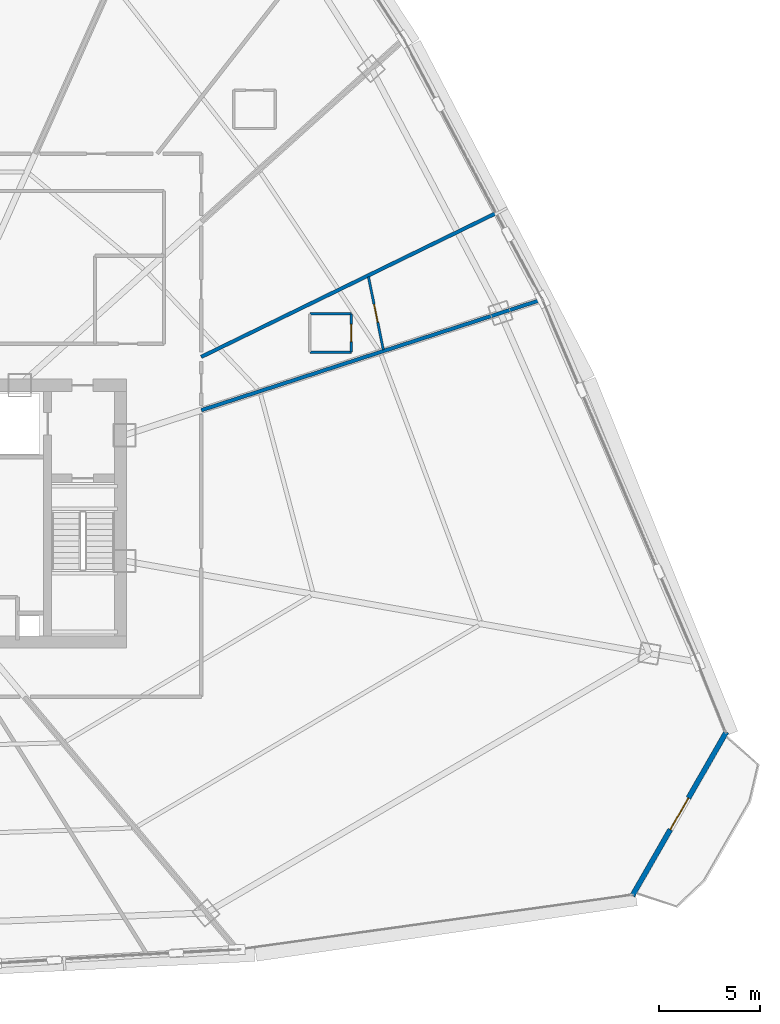
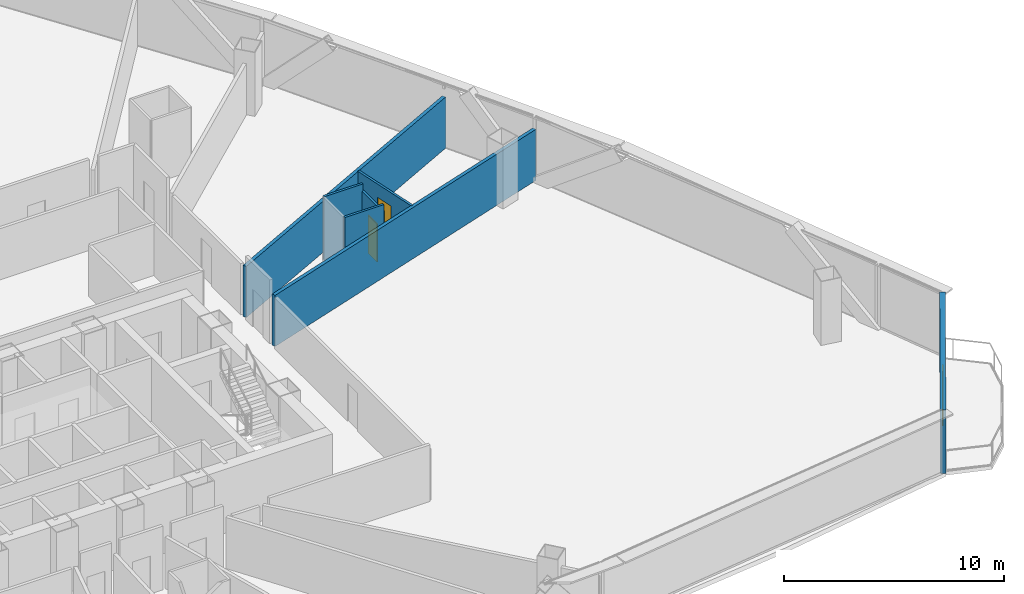
# One storey, part 33 of 38: 7 walls, 3 doors, 3 openings.
"""IFC4 building model written with IfcOpenShell, lengths in metres."""

from ifc_helpers import new_model, si_unit, direction, frame, frame_2d, origin, origin_with_axes, place, context, subcontext, project, spatial, rectangle, extrude, source, transform, mapped, material, layer, layer_set, type_object, element, fill, save


model = new_model("IFC4")

# Units and contexts
model_context = context("Model", 3, precision=1e-05, world=origin(), true_north=direction((0.0, 1.0)))
body_context = subcontext(model_context, "Body", "Model", "MODEL_VIEW")
ifc_project = project(units=[si_unit("LENGTHUNIT", "METRE"), si_unit("AREAUNIT", "SQUARE_METRE"), si_unit("VOLUMEUNIT", "CUBIC_METRE"), si_unit("PLANEANGLEUNIT", "RADIAN"), si_unit("MASSUNIT", "GRAM", prefix="KILO"), si_unit("THERMODYNAMICTEMPERATUREUNIT", "KELVIN"), si_unit("POWERUNIT", "WATT")], contexts=[model_context])

# Site, building, storey
site_placement = place(None, origin())
site = spatial("IfcSite", under=ifc_project, at=site_placement, CompositionType="ELEMENT")
building_placement = place(site_placement, origin())
building = spatial("IfcBuilding", under=site, at=building_placement, Name="Yunzhuo Pagoda Commons", CompositionType="ELEMENT")
storey_placement = place(building_placement, frame((0.0, 0.0, 81.179931640625)))
storey = spatial("IfcBuildingStorey", under=building, at=storey_placement, Name="L20", CompositionType="ELEMENT", Elevation=81.179931640625)

# Wall, opening, door
ifc_material_1 = material(Name="Precast concrete C40", Category="concrete")
ifc_layer_1 = layer(ifc_material_1, 0.260009765625)
ifc_layer_set_1 = layer_set([ifc_layer_1], Name="Precast concrete C40")
wall_type_1 = type_object("IfcWallType", Name="W-BAL1 Corner Balcony Threshold Wall 260", PredefinedType="STANDARD", material=ifc_layer_set_1)
wall_1_placement = place(storey_placement, frame((85.510009765625, 14.963134765625, 0.0), z_axis=(0.0, 0.0, 1.0), x_axis=(0.497922114025, 0.867221752705, 0.0)))
wall_1 = element("IfcWall", 1, at=wall_1_placement, inside=storey, type_object=wall_type_1, Name="L20 corner balcony wall V2", PredefinedType="STANDARD", context=body_context, shape_type="SweptSolid", body=[
    extrude(rectangle(XDim=9.342529296875, YDim=0.260009765625, at=frame_2d((4.67138671875, 0.0))), origin(), (0.0, 0.0, 1.0), 3.5400390625),
])
opening_1_placement = place(wall_1_placement, frame((3.771240234375, 0.0, 0.0)))
opening_1 = element("IfcOpeningElement", 2, at=opening_1_placement, cuts=wall_1, Name="Opening D-BAL1", PredefinedType="OPENING", context=body_context, shape_type="SweptSolid", body=[
    extrude(rectangle(XDim=1.800048828125, YDim=2.14990234375, at=frame_2d((0.89990234375, 1.074951171875))), frame((0.0, 0.14013671875, 0.0), z_axis=(0.0, -1.0, 0.0), x_axis=(1.0, 0.0, 0.0)), (0.0, 0.0, 1.0), 0.280029296875),
])
ifc_material_2 = material(Name="Anodized aluminium frame and tempered glazed leaf", Category="aluminium")
door_type_1 = type_object("IfcDoorType", Name="D-BAL1 Corner Balcony Sliding Glazed Door 1800x2150", OperationType="DOUBLE_DOOR_SLIDING", PredefinedType="DOOR", material=ifc_material_2)
shared_shape_1 = source(origin(), body_context, "Body", "SweptSolid", [
    extrude(rectangle(XDim=1.800048828125, YDim=2.14990234375, at=frame_2d((0.89990234375, 1.074951171875))), frame((0.0, 0.02490234375, 0.0), z_axis=(0.0, -1.0, 0.0), x_axis=(1.0, 0.0, 0.0)), (0.0, 0.0, 1.0), 0.050048828125),
])
door_1_placement = place(opening_1_placement, origin_with_axes())
door_1 = element("IfcDoor", 3, at=door_1_placement, inside=storey, type_object=door_type_1, Name="L20 corner balcony sliding door V2", OperationType="DOUBLE_DOOR_SLIDING", OverallHeight=2.14990234375, OverallWidth=1.800048828125, PredefinedType="DOOR", context=body_context, shape_type="MappedRepresentation", body=[
    mapped(shared_shape_1, transform((0.0, 0.0, 0.0), scale=1.0)),
])
fill(opening_1, door_1)

# Wall
ifc_material_3 = material(Name="Gypsum plasterboard on acoustic stud")
ifc_layer_2 = layer(ifc_material_3, 0.1201171875)
ifc_layer_set_2 = layer_set([ifc_layer_2], Name="Gypsum plasterboard on acoustic stud")
wall_type_2 = type_object("IfcWallType", Name="W-PRT1 Suite & Bathroom Partition 120", PredefinedType="PARTITIONING", material=ifc_layer_set_2)
wall_2_placement = place(storey_placement, frame((69.571044921875, 41.833984375, 0.0), z_axis=(0.0, 0.0, 1.0), x_axis=(1.0, 0.0, 0.0)))
element("IfcWall", 4, at=wall_2_placement, inside=storey, type_object=wall_type_2, Name="L20 interior wall IW-L20-B01S", PredefinedType="PARTITIONING", context=body_context, shape_type="SweptSolid", body=[
    extrude(rectangle(XDim=2.050048828125, YDim=0.1201171875, at=frame_2d((1.02490234375, 0.0))), origin(), (0.0, 0.0, 1.0), 3.5400390625),
])

# Wall, opening, door
wall_3_placement = place(storey_placement, frame((71.62109375, 41.833984375, 0.0), z_axis=(0.0, 0.0, 1.0), x_axis=(0.0, 1.0, 0.0)))
wall_3 = element("IfcWall", 5, at=wall_3_placement, inside=storey, type_object=wall_type_2, Name="L20 interior wall IW-L20-B01E", PredefinedType="PARTITIONING", context=body_context, shape_type="SweptSolid", body=[
    extrude(rectangle(XDim=1.89990234375, YDim=0.1201171875, at=frame_2d((0.949951171875, 0.0))), origin(), (0.0, 0.0, 1.0), 3.14013671875),
])
opening_2_placement = place(wall_3_placement, frame((0.52490234375, 0.0, 0.0)))
opening_2 = element("IfcOpeningElement", 6, at=opening_2_placement, cuts=wall_3, Name="Opening D-05", PredefinedType="OPENING", context=body_context, shape_type="SweptSolid", body=[
    extrude(rectangle(XDim=0.85009765625, YDim=2.10009765625, at=frame_2d((0.425048828125, 1.050048828125))), frame((0.0, 0.070068359375, 0.0), z_axis=(0.0, -1.0, 0.0), x_axis=(1.0, 0.0, 0.0)), (0.0, 0.0, 1.0), 0.14013671875),
])
ifc_material_4 = material(Name="Powder-coated aluminium and timber acoustic leaf", Category="wood")
door_type_2 = type_object("IfcDoorType", Name="D-05 En-Suite Bathroom Door 850x2100", OperationType="NOTDEFINED", PredefinedType="DOOR", material=ifc_material_4)
shared_shape_2 = source(origin(), body_context, "Body", "SweptSolid", [
    extrude(rectangle(XDim=0.85009765625, YDim=2.10009765625, at=frame_2d((0.425048828125, 1.050048828125))), frame((0.0, 0.02490234375, 0.0), z_axis=(0.0, -1.0, 0.0), x_axis=(1.0, 0.0, 0.0)), (0.0, 0.0, 1.0), 0.050048828125),
])
door_2_placement = place(opening_2_placement, frame((0.85009765625, 0.0, 0.0), z_axis=(0.0, 0.0, 1.0), x_axis=(-1.0, 0.0, 0.0)))
door_2 = element("IfcDoor", 7, at=door_2_placement, inside=storey, type_object=door_type_2, Name="L20 unit 01 bathroom door", OperationType="SINGLE_SWING_LEFT", OverallHeight=2.10009765625, OverallWidth=0.85009765625, PredefinedType="DOOR", context=body_context, shape_type="MappedRepresentation", body=[
    mapped(shared_shape_2, transform((0.0, 0.0, 0.0), scale=1.0)),
])
fill(opening_2, door_2)

# Wall
wall_4_placement = place(storey_placement, frame((71.62109375, 43.73388671875, 0.0), z_axis=(0.0, 0.0, 1.0), x_axis=(-1.0, 0.0, 0.0)))
element("IfcWall", 8, at=wall_4_placement, inside=storey, type_object=wall_type_2, Name="L20 interior wall IW-L20-B01N", PredefinedType="PARTITIONING", context=body_context, shape_type="SweptSolid", body=[
    extrude(rectangle(XDim=2.050048828125, YDim=0.1201171875, at=frame_2d((1.02490234375, 0.0))), origin(), (0.0, 0.0, 1.0), 3.5400390625),
])

# Wall, opening, door
wall_5_placement = place(storey_placement, frame((73.199951171875, 41.950927734375, 0.0), z_axis=(0.0, 0.0, 1.0), x_axis=(-0.199717476268, 0.979853524601, 0.0)))
wall_5 = element("IfcWall", 9, at=wall_5_placement, inside=storey, type_object=wall_type_2, Name="L20 interior wall IW-L20-CLB01", PredefinedType="PARTITIONING", context=body_context, shape_type="SweptSolid", body=[
    extrude(rectangle(XDim=3.68798828125, YDim=0.1201171875, at=frame_2d((1.843994140625, 0.0))), origin(), (0.0, 0.0, 1.0), 2.840087890625),
])
opening_3_placement = place(wall_5_placement, frame((1.384033203125, 0.0, 0.0)))
opening_3 = element("IfcOpeningElement", 10, at=opening_3_placement, cuts=wall_5, Name="Opening D-04", PredefinedType="OPENING", context=body_context, shape_type="SweptSolid", body=[
    extrude(rectangle(XDim=0.919921875, YDim=2.10009765625, at=frame_2d((0.4599609375, 1.050048828125))), frame((0.0, 0.070068359375, 0.0), z_axis=(0.0, -1.0, 0.0), x_axis=(1.0, 0.0, 0.0)), (0.0, 0.0, 1.0), 0.14013671875),
])
door_type_3 = type_object("IfcDoorType", Name="D-04 Bedroom & Study Interior Door 920x2100", OperationType="NOTDEFINED", PredefinedType="DOOR", material=ifc_material_4)
shared_shape_3 = source(origin(), body_context, "Body", "SweptSolid", [
    extrude(rectangle(XDim=0.919921875, YDim=2.10009765625, at=frame_2d((0.4599609375, 1.050048828125))), frame((0.0, 0.02490234375, 0.0), z_axis=(0.0, -1.0, 0.0), x_axis=(1.0, 0.0, 0.0)), (0.0, 0.0, 1.0), 0.050048828125),
])
door_3_placement = place(opening_3_placement, origin_with_axes())
door_3 = element("IfcDoor", 11, at=door_3_placement, inside=storey, type_object=door_type_3, Name="L20 suite 01 bedroom door", OperationType="SINGLE_SWING_LEFT", OverallHeight=2.10009765625, OverallWidth=0.919921875, PredefinedType="DOOR", context=body_context, shape_type="MappedRepresentation", body=[
    mapped(shared_shape_3, transform((0.0, 0.0, 0.0), scale=1.0)),
])
fill(opening_3, door_3)

# Walls
ifc_layer_3 = layer(ifc_material_3, 0.179931640625)
ifc_layer_set_3 = layer_set([ifc_layer_3], Name="Gypsum plasterboard on acoustic stud")
wall_type_3 = type_object("IfcWallType", Name="W-PRT2 Acoustic Unit Demising Wall 180", PredefinedType="PARTITIONING", material=ifc_layer_set_3)
wall_6_placement = place(storey_placement, frame((64.199951171875, 38.963623046875, 0.0), z_axis=(0.0, 0.0, 1.0), x_axis=(0.951054301474, 0.309023810812, 0.0)))
element("IfcWall", 12, at=wall_6_placement, inside=storey, type_object=wall_type_3, Name="L20 interior wall IW-L20-RAD01", PredefinedType="PARTITIONING", context=body_context, shape_type="SweptSolid", body=[
    extrude(rectangle(XDim=17.733154296875, YDim=0.179931640625, at=frame_2d((8.86669921875, 0.0))), origin(), (0.0, 0.0, 1.0), 2.840087890625),
])
wall_7_placement = place(storey_placement, frame((64.199951171875, 41.601318359375, 0.0), z_axis=(0.0, 0.0, 1.0), x_axis=(0.898796049991, 0.438367038588, 0.0)))
element("IfcWall", 13, at=wall_7_placement, inside=storey, type_object=wall_type_3, Name="L20 interior wall IW-L20-RAD02", PredefinedType="PARTITIONING", context=body_context, shape_type="SweptSolid", body=[
    extrude(rectangle(XDim=16.234130859375, YDim=0.179931640625, at=frame_2d((8.1171875, 0.0))), origin(), (0.0, 0.0, 1.0), 2.840087890625),
])

save(model, "model.ifc")
